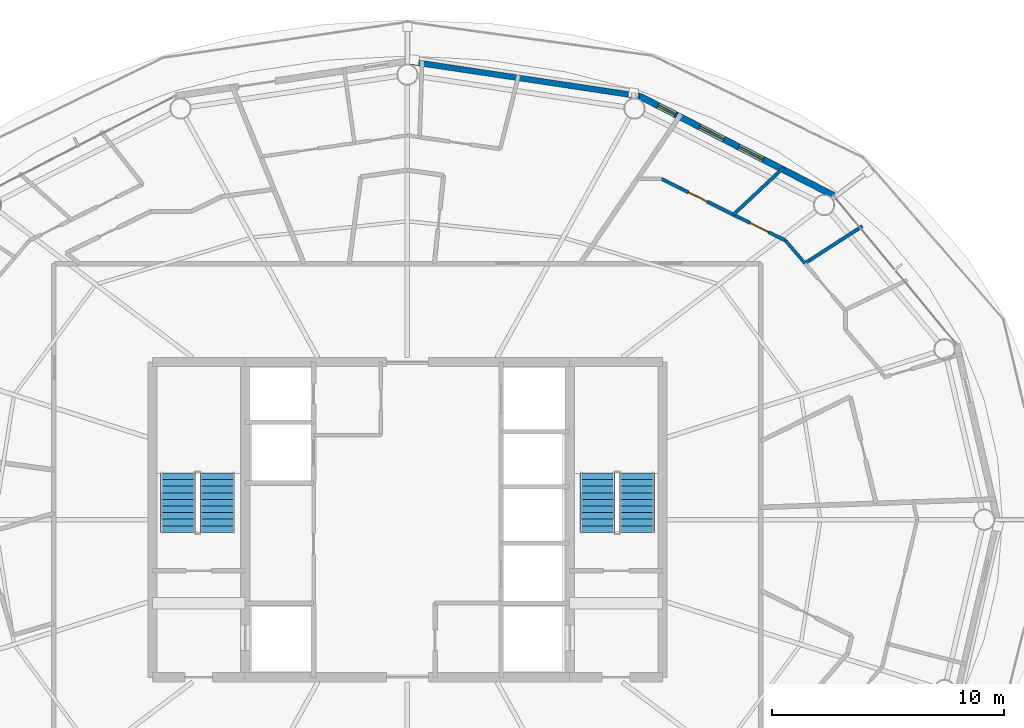
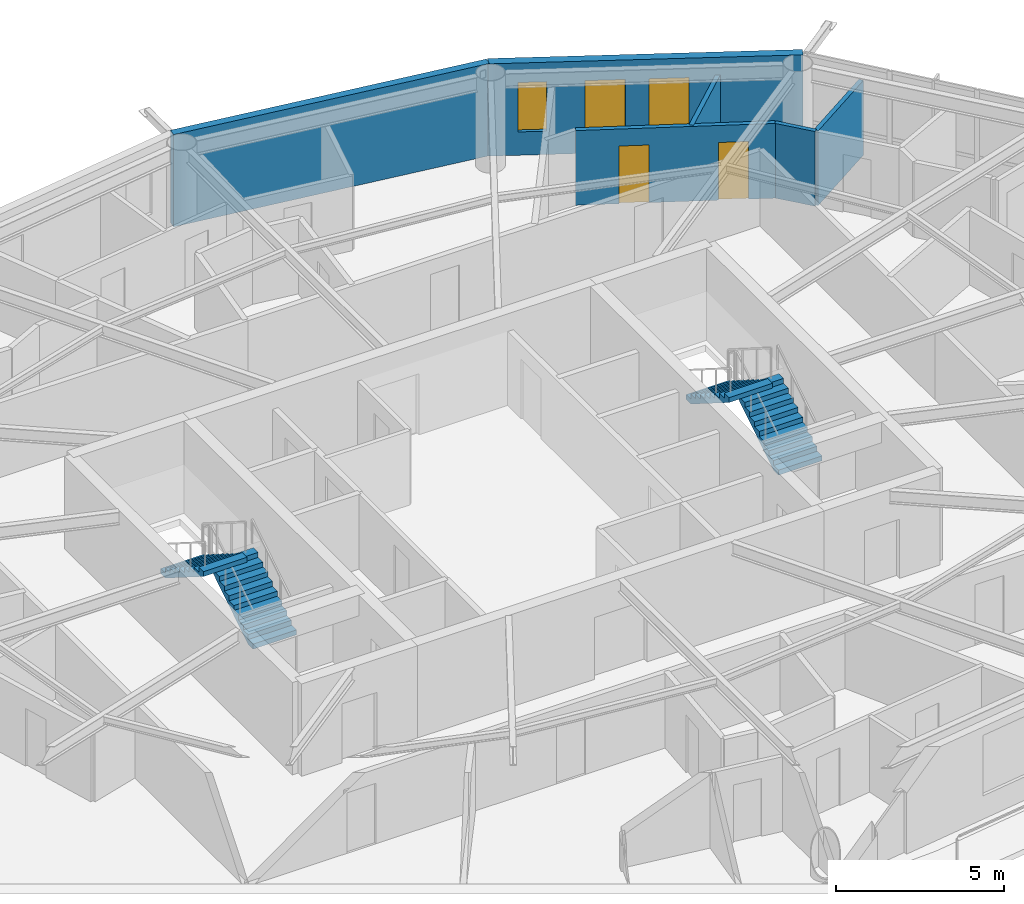
# One storey, part 20 of 23: 6 walls, 4 stair flights, 3 windows, 2 doors, 5 openings, 2 elements without a shape of their own.
"""IFC4 building model written with IfcOpenShell, lengths in metres."""

import ifcopenshell
import ifcopenshell.guid

model = None  # the IFC model being written
_history = None  # IfcOwnerHistory: only IFC2X3 demands one
_inside = {}  # id of a spatial element -> (the spatial element, [elements in it])
_under = {}  # id of a project, library or spatial element -> (it, [spatial elements below it])
_declared = {}  # id of a project -> (the project, [libraries it declares])
_typed = {}  # id of a type object -> (the type object, [elements of that type])
_made_of = {}  # id of a material, layer set ... -> (it, [elements and type objects made of it])


def new_model(schema):
    """Start an empty IFC model of exactly this schema.

    Asked for "IFC4X3", IfcOpenShell would pick the latest addendum, in which some entities
    have other attributes; the version numbers below select the first issue.
    IFC2X3 requires an IfcOwnerHistory on every rooted entity: one is made here for all.
    """
    global model, _history
    if schema == "IFC4X3":
        model = ifcopenshell.file(schema_version=(4, 3, 0, 0))
    else:
        model = ifcopenshell.file(schema=schema)
    _inside.clear()
    _under.clear()
    _declared.clear()
    _typed.clear()
    _made_of.clear()
    _history = None
    if model.schema == "IFC2X3":
        org = make("IfcOrganization", Name="unknown")
        user = make(
            "IfcPersonAndOrganization",
            ThePerson=make("IfcPerson", FamilyName="unknown"),
            TheOrganization=org,
        )
        app = make(
            "IfcApplication",
            ApplicationDeveloper=org,
            Version="unknown",
            ApplicationFullName="unknown",
            ApplicationIdentifier="unknown",
        )
        _history = make(
            "IfcOwnerHistory",
            OwningUser=user,
            OwningApplication=app,
            ChangeAction="ADDED",
            CreationDate=0,
        )
    return model


def make(cls, **values):
    """One entity of the class cls with the attributes given. An attribute that is None is left unset."""
    return model.create_entity(
        cls, **{name: value for name, value in values.items() if value is not None}
    )


def rooted(cls, **values):
    """An entity with a GlobalId (a new one), such as an element, a storey or a relation."""
    return make(cls, GlobalId=ifcopenshell.guid.new(), OwnerHistory=_history, **values)


def si_unit(unit_type, name, prefix=None):
    """IfcSIUnit, for example si_unit("LENGTHUNIT", "METRE", prefix="MILLI")."""
    return make("IfcSIUnit", UnitType=unit_type, Prefix=prefix, Name=name)


def assignment(units):
    """IfcUnitAssignment: the units of a project."""
    return None if units is None else make("IfcUnitAssignment", Units=units)


def point(xyz):
    """IfcCartesianPoint."""
    return None if xyz is None else make("IfcCartesianPoint", Coordinates=xyz)


def direction(xyz):
    """IfcDirection."""
    return None if xyz is None else make("IfcDirection", DirectionRatios=xyz)


def frame(location, z_axis=None, x_axis=None):
    """IfcAxis2Placement3D, a coordinate frame: its origin and axes. An axis left out is left unset."""
    return make(
        "IfcAxis2Placement3D",
        Location=point(location),
        Axis=direction(z_axis),
        RefDirection=direction(x_axis),
    )


def frame_2d(location, x_axis=None):
    """IfcAxis2Placement2D, a coordinate frame in the plane: its origin and x axis."""
    return make(
        "IfcAxis2Placement2D", Location=point(location), RefDirection=direction(x_axis)
    )


def origin():
    """The frame at (0, 0, 0) with its axes left unset."""
    return frame((0.0, 0.0, 0.0))


def place(relative_to, where):
    """IfcLocalPlacement: puts the frame where relative to a parent placement (None: the world)."""
    return make(
        "IfcLocalPlacement", PlacementRelTo=relative_to, RelativePlacement=where
    )


def context(
    kind, dimensions, precision=None, world=None, true_north=None, identifier=None
):
    """IfcGeometricRepresentationContext, for example the 3D "Model" context."""
    return make(
        "IfcGeometricRepresentationContext",
        ContextIdentifier=identifier,
        ContextType=kind,
        CoordinateSpaceDimension=dimensions,
        Precision=precision,
        WorldCoordinateSystem=world,
        TrueNorth=true_north,
    )


def subcontext(parent, identifier, kind, view, scale=None):
    """IfcGeometricRepresentationSubContext, for example "Body" below "Model"."""
    return make(
        "IfcGeometricRepresentationSubContext",
        ContextIdentifier=identifier,
        ContextType=kind,
        ParentContext=parent,
        TargetScale=scale,
        TargetView=view,
    )


def project(units=None, contexts=None):
    """IfcProject with its units and contexts."""
    return rooted(
        "IfcProject",
        Name="project",
        RepresentationContexts=contexts,
        UnitsInContext=assignment(units),
    )


def spatial(cls, under=None, at=None, **own):
    """A site, building, storey or space (cls), placed at a placement, below another one or the project."""
    s = rooted(cls, ObjectPlacement=at, **own)
    if under is not None:
        _under.setdefault(under.id(), (under, []))[1].append(s)
    return s


def polyline(points):
    """IfcPolyline through the points."""
    return make("IfcPolyline", Points=[point(p) for p in points])


def profile(cls, at=None, kind="AREA", **sizes):
    """A parametric profile (cls). Its sizes go by their IFC names, for example OverallWidth=200.0."""
    return make(cls, ProfileType=kind, Position=at, **sizes)


def rectangle(**sizes):
    """IfcRectangleProfileDef."""
    return profile("IfcRectangleProfileDef", **sizes)


def outline(outer, holes=None, kind="AREA"):
    """IfcArbitraryClosedProfileDef: a profile drawn as a closed curve; with holes, ...WithVoids."""
    if holes is None:
        return make("IfcArbitraryClosedProfileDef", ProfileType=kind, OuterCurve=outer)
    return make(
        "IfcArbitraryProfileDefWithVoids",
        ProfileType=kind,
        OuterCurve=outer,
        InnerCurves=holes,
    )


def extrude(swept, where, along, depth):
    """IfcExtrudedAreaSolid: the profile swept, set in the frame where, extruded along a direction by depth."""
    return make(
        "IfcExtrudedAreaSolid",
        SweptArea=swept,
        Position=where,
        ExtrudedDirection=direction(along),
        Depth=depth,
    )


def shape(context_of_items, identifier, shape_type, items):
    """IfcShapeRepresentation: the items that make up one representation, for example the "Body"."""
    return make(
        "IfcShapeRepresentation",
        ContextOfItems=context_of_items,
        RepresentationIdentifier=identifier,
        RepresentationType=shape_type,
        Items=items,
    )


def material(Name=None, Category=None):
    """IfcMaterial."""
    return make("IfcMaterial", Name=Name, Category=Category)


def layer(
    of_material, thickness, ventilated=None, Name=None, Category=None, Priority=None
):
    """IfcMaterialLayer: one layer of a wall or slab, of a material (None: an air gap)."""
    return make(
        "IfcMaterialLayer",
        Material=of_material,
        LayerThickness=thickness,
        IsVentilated=ventilated,
        Name=Name,
        Category=Category,
        Priority=Priority,
    )


def layer_set(layers, Name=None):
    """IfcMaterialLayerSet."""
    return make("IfcMaterialLayerSet", MaterialLayers=layers, LayerSetName=Name)


def made_of(thing, what):
    """Note that an element or type object is made of a material, layer set ...; save() writes the relation."""
    if what is not None:
        _made_of.setdefault(what.id(), (what, []))[1].append(thing)
    return thing


def type_object(cls, material=None, **own):
    """A type object (cls), such as IfcWallType, which elements share."""
    return made_of(rooted(cls, **own), material)


def element(
    cls,
    number,
    at=None,
    inside=None,
    cuts=None,
    type_object=None,
    material=None,
    context=None,
    identifier="Body",
    shape_type=None,
    held_by="IfcProductDefinitionShape",
    body=None,
    shapes=None,
    **own,
):
    """One element of the class cls, such as IfcWall. Its Tag is "e" and its number.

    at: its placement. inside: the storey or other place that contains it. cuts: it is an
    opening in that element (IfcRelVoidsElement). A single representation is given by context,
    identifier, shape_type and body (its items); several are given by shapes. held_by: the class
    of the entity that holds the representations. save() writes the other relations.
    """
    e = rooted(cls, Tag="e%d" % number, ObjectPlacement=at, **own)
    if body is not None:
        shapes = [shape(context, identifier, shape_type, body)]
    if shapes is not None:
        e.Representation = make(held_by, Representations=shapes)
    if inside is not None:
        _inside.setdefault(inside.id(), (inside, []))[1].append(e)
    if cuts is not None:
        rooted(
            "IfcRelVoidsElement", RelatingBuildingElement=cuts, RelatedOpeningElement=e
        )
    if type_object is not None:
        _typed.setdefault(type_object.id(), (type_object, []))[1].append(e)
    return made_of(e, material)


def fill(opening, filler):
    """IfcRelFillsElement: the door or window that sits in an opening."""
    return rooted(
        "IfcRelFillsElement",
        RelatingOpeningElement=opening,
        RelatedBuildingElement=filler,
    )


def aggregate(whole, parts):
    """IfcRelAggregates: a whole, such as a stair, and the parts it consists of."""
    return rooted("IfcRelAggregates", RelatingObject=whole, RelatedObjects=parts)


def save(model, path):
    """Write the relations noted so far, then the file.

    IfcRelAggregates (storeys below a building ...), IfcRelContainedInSpatialStructure (elements
    in a storey), IfcRelDefinesByType, IfcRelAssociatesMaterial and IfcRelDeclares: one each for
    every whole, place, type object, material and project.
    """
    for whole, parts in _under.values():
        aggregate(whole, parts)
    for where, things in _inside.values():
        rooted(
            "IfcRelContainedInSpatialStructure",
            RelatedElements=things,
            RelatingStructure=where,
        )
    for kind, things in _typed.values():
        rooted("IfcRelDefinesByType", RelatedObjects=things, RelatingType=kind)
    for what, things in _made_of.values():
        rooted("IfcRelAssociatesMaterial", RelatedObjects=things, RelatingMaterial=what)
    for by, libraries in _declared.values():
        rooted("IfcRelDeclares", RelatingContext=by, RelatedDefinitions=libraries)
    model.write(path)


model = new_model("IFC4")

# Units and contexts
model_context = context("Model", 3, precision=1e-05, world=origin(), true_north=direction((0.0, 1.0)))
body_context = subcontext(model_context, "Body", "Model", "MODEL_VIEW")
ifc_project = project(units=[si_unit("LENGTHUNIT", "METRE"), si_unit("AREAUNIT", "SQUARE_METRE"), si_unit("VOLUMEUNIT", "CUBIC_METRE"), si_unit("PLANEANGLEUNIT", "RADIAN"), si_unit("MASSUNIT", "GRAM", prefix="KILO")], contexts=[model_context])

# Site, building, storey
site_placement = place(None, origin())
site = spatial("IfcSite", under=ifc_project, at=site_placement, CompositionType="ELEMENT")
building_placement = place(site_placement, origin())
building = spatial("IfcBuilding", under=site, at=building_placement, Name="Sarneth Arch Tower", CompositionType="ELEMENT")
storey_placement = place(building_placement, frame((0.0, 0.0, 231.60009765625)))
storey = spatial("IfcBuildingStorey", under=building, at=storey_placement, Name="L59", CompositionType="ELEMENT", Elevation=231.60009765625)

# Wall
ifc_material_1 = material(Name="Extruded terracotta rainscreen on Concrete C40/50 backing", Category="masonry")
ifc_layer_1 = layer(ifc_material_1, 0.25)
ifc_layer_set_1 = layer_set([ifc_layer_1], Name="Extruded terracotta rainscreen on Concrete C40/50 backing")
wall_type_1 = type_object("IfcWallType", Name="WALL-EXT-SPAND-250", PredefinedType="SOLIDWALL", material=ifc_layer_set_1)
wall_1_placement = place(storey_placement, frame((58.0126953125, 60.2744140625, 0.0), z_axis=(0.0, 0.0, 1.0), x_axis=(-0.988882522213, 0.148698881169, 0.0)))
element("IfcWall", 1, at=wall_1_placement, inside=storey, type_object=wall_type_1, Name="L59 Terracotta perimeter wall 04", PredefinedType="SOLIDWALL", context=body_context, shape_type="SweptSolid", body=[
    extrude(rectangle(XDim=10.125244140625, YDim=0.25, at=frame_2d((5.0625, 0.0))), origin(), (0.0, 0.0, 1.0), 3.35986328125),
])

# Wall, openings, windows
ifc_material_2 = material(Name="Extruded terracotta rainscreen on Concrete C40/50 backing", Category="masonry")
ifc_layer_2 = layer(ifc_material_2, 0.280029296875)
ifc_layer_set_2 = layer_set([ifc_layer_2], Name="Extruded terracotta rainscreen on Concrete C40/50 backing")
wall_type_2 = type_object("IfcWallType", Name="WALL-EXT-TERRA-280", PredefinedType="SOLIDWALL", material=ifc_layer_set_2)
wall_2_placement = place(storey_placement, frame((66.382568359375, 55.986572265625, 0.0), z_axis=(0.0, 0.0, 1.0), x_axis=(-0.890007394051, 0.455946091699, 0.0)))
wall_2 = element("IfcWall", 2, at=wall_2_placement, inside=storey, type_object=wall_type_2, Name="L59 Terracotta perimeter wall 03", PredefinedType="SOLIDWALL", context=body_context, shape_type="SweptSolid", body=[
    extrude(rectangle(XDim=9.404296875, YDim=0.280029296875, at=frame_2d((4.7021484375, 0.0))), origin(), (0.0, 0.0, 1.0), 3.35986328125),
])
opening_1_placement = place(wall_2_placement, frame((3.40576171875, 0.0, 0.85009765625)))
opening_1 = element("IfcOpeningElement", 3, at=opening_1_placement, cuts=wall_2, Name="Opening W-09", PredefinedType="OPENING", context=body_context, shape_type="SweptSolid", body=[
    extrude(rectangle(XDim=1.199951171875, YDim=1.800048828125, at=frame_2d((0.60009765625, 0.89990234375))), frame((0.0, 0.14990234375, 0.0), z_axis=(0.0, -1.0, 0.0), x_axis=(1.0, 0.0, 0.0)), (0.0, 0.0, 1.0), 0.300048828125),
])
opening_2_placement = place(wall_2_placement, frame((5.306884765625, 0.0, 0.85009765625)))
opening_2 = element("IfcOpeningElement", 4, at=opening_2_placement, cuts=wall_2, Name="Opening W-09", PredefinedType="OPENING", context=body_context, shape_type="SweptSolid", body=[
    extrude(rectangle(XDim=1.199951171875, YDim=1.800048828125, at=frame_2d((0.60009765625, 0.89990234375))), frame((0.0, 0.14990234375, 0.0), z_axis=(0.0, -1.0, 0.0), x_axis=(1.0, 0.0, 0.0)), (0.0, 0.0, 1.0), 0.300048828125),
])
opening_3_placement = place(wall_2_placement, frame((7.66259765625, 0.0, 0.85009765625)))
opening_3 = element("IfcOpeningElement", 5, at=opening_3_placement, cuts=wall_2, Name="Opening W-12", PredefinedType="OPENING", context=body_context, shape_type="SweptSolid", body=[
    extrude(rectangle(XDim=0.85009765625, YDim=1.800048828125, at=frame_2d((0.425048828125, 0.89990234375))), frame((0.0, 0.14990234375, 0.0), z_axis=(0.0, -1.0, 0.0), x_axis=(1.0, 0.0, 0.0)), (0.0, 0.0, 1.0), 0.300048828125),
])
ifc_material_3 = material(Name="Thermally broken Aluminium 6063-T6 and low-e laminated IGU", Category="aluminium")
window_type_1 = type_object("IfcWindowType", Name="WIN-TWR-1200x1800", PartitioningType="SINGLE_PANEL", PredefinedType="WINDOW", material=ifc_material_3)
window_1_placement = place(opening_1_placement, origin())
window_1 = element("IfcWindow", 6, at=window_1_placement, inside=storey, type_object=window_type_1, Name="L59 Exterior window 03A", OverallHeight=1.800048828125, OverallWidth=1.199951171875, PartitioningType="SINGLE_PANEL", PredefinedType="WINDOW", context=body_context, shape_type="SweptSolid", body=[
    extrude(rectangle(XDim=1.199951171875, YDim=1.800048828125, at=frame_2d((0.60009765625, 0.89990234375))), frame((0.0, 0.030029296875, 0.0), z_axis=(0.0, -1.0, 0.0), x_axis=(1.0, 0.0, 0.0)), (0.0, 0.0, 1.0), 0.06005859375),
])
fill(opening_1, window_1)
window_2_placement = place(opening_2_placement, origin())
window_2 = element("IfcWindow", 7, at=window_2_placement, inside=storey, type_object=window_type_1, Name="L59 Exterior window 03B", OverallHeight=1.800048828125, OverallWidth=1.199951171875, PartitioningType="SINGLE_PANEL", PredefinedType="WINDOW", context=body_context, shape_type="SweptSolid", body=[
    extrude(rectangle(XDim=1.199951171875, YDim=1.800048828125, at=frame_2d((0.60009765625, 0.89990234375))), frame((0.0, 0.030029296875, 0.0), z_axis=(0.0, -1.0, 0.0), x_axis=(1.0, 0.0, 0.0)), (0.0, 0.0, 1.0), 0.06005859375),
])
fill(opening_2, window_2)
ifc_material_4 = material(Name="Thermally broken Aluminium 6063-T6 and low-e laminated IGU", Category="aluminium")
window_type_2 = type_object("IfcWindowType", Name="WIN-TWR-850x1800", PartitioningType="SINGLE_PANEL", PredefinedType="WINDOW", material=ifc_material_4)
window_3_placement = place(opening_3_placement, origin())
window_3 = element("IfcWindow", 8, at=window_3_placement, inside=storey, type_object=window_type_2, Name="L59 Dwelling bedroom window 01", OverallHeight=1.800048828125, OverallWidth=0.85009765625, PartitioningType="SINGLE_PANEL", PredefinedType="WINDOW", context=body_context, shape_type="SweptSolid", body=[
    extrude(rectangle(XDim=0.85009765625, YDim=1.800048828125, at=frame_2d((0.425048828125, 0.89990234375))), frame((0.0, 0.030029296875, 0.0), z_axis=(0.0, -1.0, 0.0), x_axis=(1.0, 0.0, 0.0)), (0.0, 0.0, 1.0), 0.06005859375),
])
fill(opening_3, window_3)

# Wall
ifc_material_5 = material(Name="Apartment internal stud partition", Category="gypsum")
ifc_layer_3 = layer(ifc_material_5, 0.139892578125)
ifc_layer_set_3 = layer_set([ifc_layer_3], Name="Apartment internal stud partition")
wall_type_3 = type_object("IfcWallType", Name="WALL-PART-140", PredefinedType="PARTITIONING", material=ifc_layer_set_3)
wall_3_placement = place(storey_placement, frame((65.147216796875, 53.061767578125, 0.0), z_axis=(0.0, 0.0, 1.0), x_axis=(-0.648994996694, 0.760792674956, 0.0)))
element("IfcWall", 9, at=wall_3_placement, inside=storey, type_object=wall_type_3, Name="L59 Interior partition W-L59-TP-028", PredefinedType="PARTITIONING", context=body_context, shape_type="SweptSolid", body=[
    extrude(rectangle(XDim=1.288330078125, YDim=0.139892578125, at=frame_2d((0.64404296875, 0.0))), origin(), (0.0, 0.0, 1.0), 2.719970703125),
])

# Wall, openings, doors
ifc_material_6 = material(Name="Acoustic gypsum stud partition", Category="gypsum")
ifc_layer_4 = layer(ifc_material_6, 0.14990234375)
ifc_layer_set_4 = layer_set([ifc_layer_4], Name="Acoustic gypsum stud partition")
wall_type_4 = type_object("IfcWallType", Name="WALL-PART-150", PredefinedType="PARTITIONING", material=ifc_layer_set_4)
wall_4_placement = place(storey_placement, frame((58.9638671875, 56.699951171875, 0.0), z_axis=(0.0, 0.0, 1.0), x_axis=(0.895471406875, -0.445119039661, 0.0)))
wall_4 = element("IfcWall", 10, at=wall_4_placement, inside=storey, type_object=wall_type_4, Name="L59 Interior partition W-L59-TP-031", PredefinedType="PARTITIONING", context=body_context, shape_type="SweptSolid", body=[
    extrude(rectangle(XDim=5.971435546875, YDim=0.14990234375, at=frame_2d((2.98583984375, 0.0))), origin(), (0.0, 0.0, 1.0), 2.719970703125),
])
opening_4_placement = place(wall_4_placement, frame((1.297119140625, 0.0, 0.0)))
opening_4 = element("IfcOpeningElement", 11, at=opening_4_placement, cuts=wall_4, Name="Opening ID-01", PredefinedType="OPENING", context=body_context, shape_type="SweptSolid", body=[
    extrude(rectangle(XDim=0.89990234375, YDim=2.10009765625, at=frame_2d((0.449951171875, 1.050048828125))), frame((0.0, 0.0849609375, 0.0), z_axis=(0.0, -1.0, 0.0), x_axis=(1.0, 0.0, 0.0)), (0.0, 0.0, 1.0), 0.169921875),
])
opening_5_placement = place(wall_4_placement, frame((4.265869140625, 0.0, 0.0)))
opening_5 = element("IfcOpeningElement", 12, at=opening_5_placement, cuts=wall_4, Name="Opening ID-01", PredefinedType="OPENING", context=body_context, shape_type="SweptSolid", body=[
    extrude(rectangle(XDim=0.89990234375, YDim=2.10009765625, at=frame_2d((0.449951171875, 1.050048828125))), frame((0.0, 0.0849609375, 0.0), z_axis=(0.0, -1.0, 0.0), x_axis=(1.0, 0.0, 0.0)), (0.0, 0.0, 1.0), 0.169921875),
])
ifc_material_7 = material(Name="Engineered hardwood flush door", Category="wood")
door_type = type_object("IfcDoorType", Name="DR-INT-900", OperationType="SINGLE_SWING_LEFT", PredefinedType="DOOR", material=ifc_material_7)
door_1_placement = place(opening_4_placement, origin())
door_1 = element("IfcDoor", 13, at=door_1_placement, inside=storey, type_object=door_type, Name="L59 Interior door DR-L59-U1-BED2", OperationType="SINGLE_SWING_RIGHT", OverallHeight=2.10009765625, OverallWidth=0.89990234375, PredefinedType="DOOR", context=body_context, shape_type="SweptSolid", body=[
    extrude(rectangle(XDim=0.89990234375, YDim=2.10009765625, at=frame_2d((0.449951171875, 1.050048828125))), frame((0.0, 0.02490234375, 0.0), z_axis=(0.0, -1.0, 0.0), x_axis=(1.0, 0.0, 0.0)), (0.0, 0.0, 1.0), 0.050048828125),
])
fill(opening_4, door_1)
door_2_placement = place(opening_5_placement, origin())
door_2 = element("IfcDoor", 14, at=door_2_placement, inside=storey, type_object=door_type, Name="L59 Interior door DR-L59-U1-BED1", OperationType="SINGLE_SWING_RIGHT", OverallHeight=2.10009765625, OverallWidth=0.89990234375, PredefinedType="DOOR", context=body_context, shape_type="SweptSolid", body=[
    extrude(rectangle(XDim=0.89990234375, YDim=2.10009765625, at=frame_2d((0.449951171875, 1.050048828125))), frame((0.0, 0.02490234375, 0.0), z_axis=(0.0, -1.0, 0.0), x_axis=(1.0, 0.0, 0.0)), (0.0, 0.0, 1.0), 0.050048828125),
])
fill(opening_5, door_2)

# Walls
wall_5_placement = place(storey_placement, frame((62.062255859375, 55.159912109375, 0.0), z_axis=(0.0, 0.0, 1.0), x_axis=(0.730154645163, 0.683281928743, 0.0)))
element("IfcWall", 15, at=wall_5_placement, inside=storey, type_object=wall_type_4, Name="L59 Interior partition W-L59-TP-038", PredefinedType="PARTITIONING", context=body_context, shape_type="SweptSolid", body=[
    extrude(rectangle(XDim=2.994873046875, YDim=0.14990234375, at=frame_2d((1.49755859375, 0.0))), origin(), (0.0, 0.0, 1.0), 2.719970703125),
])
wall_6_placement = place(storey_placement, frame((65.147216796875, 53.061767578125, 0.0), z_axis=(0.0, 0.0, 1.0), x_axis=(0.840340332522, 0.542059153172, 0.0)))
element("IfcWall", 16, at=wall_6_placement, inside=storey, type_object=wall_type_4, Name="L59 Interior partition W-L59-TP-036", PredefinedType="PARTITIONING", context=body_context, shape_type="SweptSolid", body=[
    extrude(rectangle(XDim=2.956298828125, YDim=0.14990234375, at=frame_2d((1.47802734375, 0.0))), origin(), (0.0, 0.0, 1.0), 2.719970703125),
])

# Stair, stair flights
ifc_material_8 = material(Name="Concrete C50/60", Category="concrete")
stair_type = type_object("IfcStairType", Name="STAIR-CORE-RC", PredefinedType="HALF_TURN_STAIR", material=ifc_material_8)
stair_1_placement = place(storey_placement, origin())
stair_1 = element("IfcStair", 17, at=stair_1_placement, inside=storey, type_object=stair_type, Name="L59 Core Exit Stair 1", PredefinedType="HALF_TURN_STAIR")
ifc_material_9 = material(Name="Concrete C50/60", Category="concrete")
stair_flight_type = type_object("IfcStairFlightType", Name="FLIGHT-RC-1500", PredefinedType="STRAIGHT", material=ifc_material_9)
stair_flight_1_placement = place(storey_placement, frame((39.800048828125, 41.449951171875, 0.0), z_axis=(0.0, 0.0, 1.0), x_axis=(0.0, 1.0, 0.0)))
stair_flight_1 = element("IfcStairFlight", 18, at=stair_flight_1_placement, type_object=stair_flight_type, Name="ST-1 flight 1", NumberOfRisers=10, NumberOfTreads=9, PredefinedType="STRAIGHT", RiserHeight=0.18, TreadLength=0.285, context=body_context, shape_type="SweptSolid", body=[
    extrude(outline(polyline([(0.0, 0.0), (0.0, 0.179931640625), (0.284912109375, 0.179931640625), (0.284912109375, 0.360107421875), (0.570068359375, 0.360107421875), (0.570068359375, 0.5400390625), (0.85498046875, 0.5400390625), (0.85498046875, 0.719970703125), (1.139892578125, 0.719970703125), (1.139892578125, 0.89990234375), (1.425048828125, 0.89990234375), (1.425048828125, 1.080078125), (1.7099609375, 1.080078125), (1.7099609375, 1.260009765625), (1.9951171875, 1.260009765625), (1.9951171875, 1.43994140625), (2.280029296875, 1.43994140625), (2.280029296875, 1.6201171875), (2.56494140625, 1.6201171875), (2.56494140625, 1.800048828125), (2.56494140625, 1.442626953125), (0.28076171875, 0.0), (0.0, 0.0)])), frame((0.0, 0.75, 0.0), z_axis=(0.0, -1.0, 0.0), x_axis=(1.0, 0.0, 0.0)), (0.0, 0.0, 1.0), 1.5),
])
stair_flight_2_placement = place(storey_placement, frame((38.10009765625, 44.014892578125, 1.7998046875), z_axis=(0.0, 0.0, 1.0), x_axis=(0.0, -1.0, 0.0)))
stair_flight_2 = element("IfcStairFlight", 19, at=stair_flight_2_placement, type_object=stair_flight_type, Name="ST-1 flight 2", NumberOfRisers=10, NumberOfTreads=9, PredefinedType="STRAIGHT", RiserHeight=0.18, TreadLength=0.285, context=body_context, shape_type="SweptSolid", body=[
    extrude(outline(polyline([(0.0, 0.0), (0.0, 0.179931640625), (0.284912109375, 0.179931640625), (0.284912109375, 0.360107421875), (0.570068359375, 0.360107421875), (0.570068359375, 0.5400390625), (0.85498046875, 0.5400390625), (0.85498046875, 0.719970703125), (1.139892578125, 0.719970703125), (1.139892578125, 0.89990234375), (1.425048828125, 0.89990234375), (1.425048828125, 1.080078125), (1.7099609375, 1.080078125), (1.7099609375, 1.260009765625), (1.9951171875, 1.260009765625), (1.9951171875, 1.43994140625), (2.280029296875, 1.43994140625), (2.280029296875, 1.6201171875), (2.56494140625, 1.6201171875), (2.56494140625, 1.800048828125), (2.56494140625, 1.442626953125), (0.28076171875, 0.0), (0.0, 0.0)])), frame((0.0, 0.75, 0.0), z_axis=(0.0, -1.0, 0.0), x_axis=(1.0, 0.0, 0.0)), (0.0, 0.0, 1.0), 1.5),
])
aggregate(stair_1, [stair_flight_1, stair_flight_2])

stair_2_placement = place(storey_placement, origin())
stair_2 = element("IfcStair", 20, at=stair_2_placement, inside=storey, type_object=stair_type, Name="L59 Core Exit Stair 2", PredefinedType="HALF_TURN_STAIR")
stair_flight_3_placement = place(storey_placement, frame((57.89990234375, 41.449951171875, 0.0), z_axis=(0.0, 0.0, 1.0), x_axis=(0.0, 1.0, 0.0)))
stair_flight_3 = element("IfcStairFlight", 21, at=stair_flight_3_placement, type_object=stair_flight_type, Name="ST-2 flight 1", NumberOfRisers=10, NumberOfTreads=9, PredefinedType="STRAIGHT", RiserHeight=0.18, TreadLength=0.285, context=body_context, shape_type="SweptSolid", body=[
    extrude(outline(polyline([(0.0, 0.0), (0.0, 0.179931640625), (0.284912109375, 0.179931640625), (0.284912109375, 0.360107421875), (0.570068359375, 0.360107421875), (0.570068359375, 0.5400390625), (0.85498046875, 0.5400390625), (0.85498046875, 0.719970703125), (1.139892578125, 0.719970703125), (1.139892578125, 0.89990234375), (1.425048828125, 0.89990234375), (1.425048828125, 1.080078125), (1.7099609375, 1.080078125), (1.7099609375, 1.260009765625), (1.9951171875, 1.260009765625), (1.9951171875, 1.43994140625), (2.280029296875, 1.43994140625), (2.280029296875, 1.6201171875), (2.56494140625, 1.6201171875), (2.56494140625, 1.800048828125), (2.56494140625, 1.442626953125), (0.28076171875, 0.0), (0.0, 0.0)])), frame((0.0, 0.75, 0.0), z_axis=(0.0, -1.0, 0.0), x_axis=(1.0, 0.0, 0.0)), (0.0, 0.0, 1.0), 1.5),
])
stair_flight_4_placement = place(storey_placement, frame((56.199951171875, 44.014892578125, 1.7998046875), z_axis=(0.0, 0.0, 1.0), x_axis=(0.0, -1.0, 0.0)))
stair_flight_4 = element("IfcStairFlight", 22, at=stair_flight_4_placement, type_object=stair_flight_type, Name="ST-2 flight 2", NumberOfRisers=10, NumberOfTreads=9, PredefinedType="STRAIGHT", RiserHeight=0.18, TreadLength=0.285, context=body_context, shape_type="SweptSolid", body=[
    extrude(outline(polyline([(0.0, 0.0), (0.0, 0.179931640625), (0.284912109375, 0.179931640625), (0.284912109375, 0.360107421875), (0.570068359375, 0.360107421875), (0.570068359375, 0.5400390625), (0.85498046875, 0.5400390625), (0.85498046875, 0.719970703125), (1.139892578125, 0.719970703125), (1.139892578125, 0.89990234375), (1.425048828125, 0.89990234375), (1.425048828125, 1.080078125), (1.7099609375, 1.080078125), (1.7099609375, 1.260009765625), (1.9951171875, 1.260009765625), (1.9951171875, 1.43994140625), (2.280029296875, 1.43994140625), (2.280029296875, 1.6201171875), (2.56494140625, 1.6201171875), (2.56494140625, 1.800048828125), (2.56494140625, 1.442626953125), (0.28076171875, 0.0), (0.0, 0.0)])), frame((0.0, 0.75, 0.0), z_axis=(0.0, -1.0, 0.0), x_axis=(1.0, 0.0, 0.0)), (0.0, 0.0, 1.0), 1.5),
])
aggregate(stair_2, [stair_flight_3, stair_flight_4])

save(model, "model.ifc")
